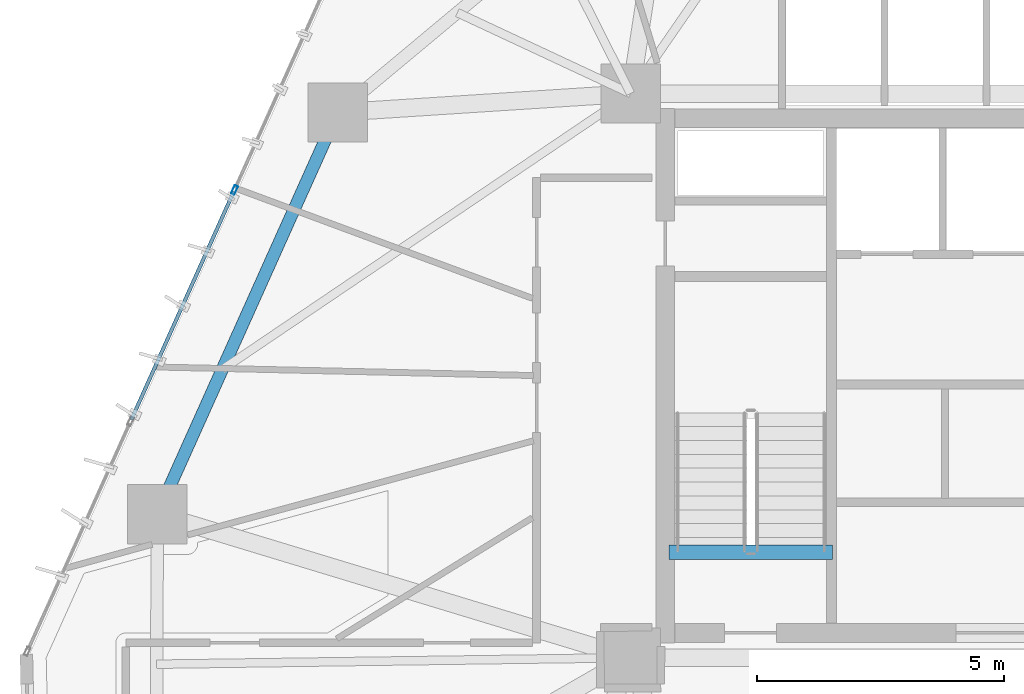
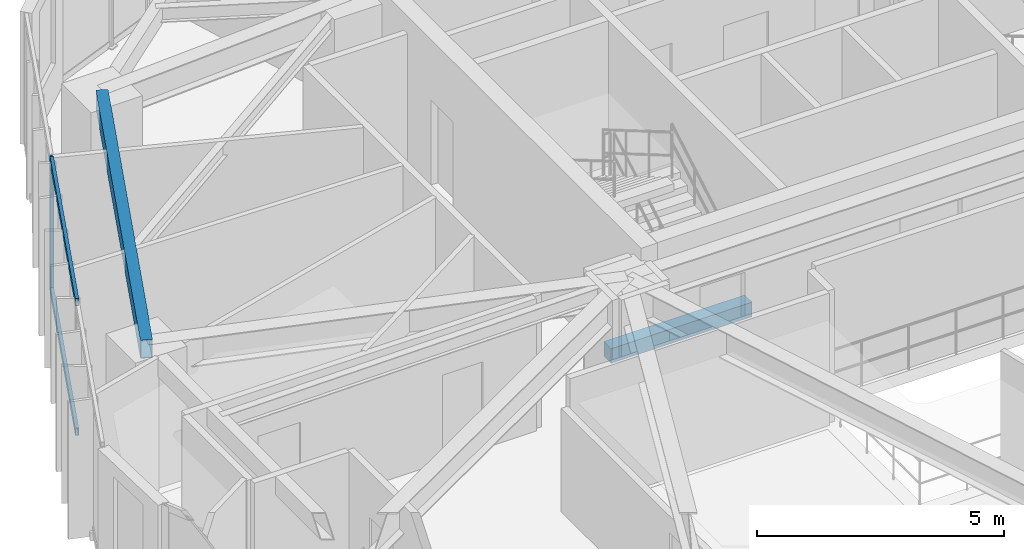
# One storey, part 8 of 22: 3 members, 2 beams, 1 element without a shape of its own.
"""IFC4 building model written with IfcOpenShell, lengths in metres."""

from ifc_helpers import new_model, si_unit, direction, frame, origin, origin_2d, place, context, subcontext, project, spatial, rectangle, hollow_rectangle, extrude, source, transform, mapped, material, layer, layer_set, material_profile, profile_set, type_object, type_shapes, element, aggregate, save


model = new_model("IFC4")

# Units and contexts
model_context = context("Model", 3, precision=1e-05, world=origin(), true_north=direction((0.0, 1.0)))
body_context = subcontext(model_context, "Body", "Model", "MODEL_VIEW")
ifc_project = project(units=[si_unit("LENGTHUNIT", "METRE"), si_unit("AREAUNIT", "SQUARE_METRE"), si_unit("VOLUMEUNIT", "CUBIC_METRE"), si_unit("PLANEANGLEUNIT", "RADIAN"), si_unit("MASSUNIT", "GRAM", prefix="KILO")], contexts=[model_context])

# Site, building, storey
site_placement = place(None, origin())
site = spatial("IfcSite", under=ifc_project, at=site_placement, CompositionType="ELEMENT")
building_placement = place(site_placement, origin())
building = spatial("IfcBuilding", under=site, at=building_placement, Name="Talar Marvaseh", CompositionType="ELEMENT")
storey_placement = place(building_placement, frame((0.0, 0.0, 154.199951171875)))
storey = spatial("IfcBuildingStorey", under=building, at=storey_placement, Name="L40", CompositionType="ELEMENT", Elevation=154.199951171875)

# Beams
ifc_material_1 = material(Name="Concrete C40/50", Category="concrete")
ifc_material_profile_1 = material_profile(ifc_material_1, rectangle(XDim=0.300048828125, YDim=0.360107421875, at=origin_2d()), Name="RC300x360")
ifc_profile_set_1 = profile_set([ifc_material_profile_1], Name="Concrete C40/50")
beam_type_1 = type_object("IfcBeamType", Name="Concrete Stair Landing Trimmer Beam RC300x360", PredefinedType="SPANDREL", material=ifc_profile_set_1)
beam_1_placement = place(storey_placement, frame((22.780029296875, 27.6298828125, -0.179931640625), z_axis=(-1.0, 0.0, 0.0), x_axis=(0.0, -1.0, 0.0)))
element("IfcBeam", 1, at=beam_1_placement, inside=storey, type_object=beam_type_1, Name="L40 ST-1 Stair Nosing Trimmer Beam", PredefinedType="SPANDREL", context=body_context, shape_type="SweptSolid", body=[
    extrude(rectangle(XDim=0.300048828125, YDim=0.360107421875, at=origin_2d()), origin(), (0.0, 0.0, 1.0), 3.300048828125),
])
ifc_material_2 = material(Name="Steel S355", Category="steel")
ifc_material_profile_2 = material_profile(ifc_material_2, hollow_rectangle(XDim=0.25, YDim=0.449951171875, WallThickness=0.01611328125, at=origin_2d()), Name="RHS450x250x16")
ifc_profile_set_2 = profile_set([ifc_material_profile_2], Name="Steel S355")
beam_type_2 = type_object("IfcBeamType", Name="Zone 2 Perimeter Spandrel Beam RHS450x250x16", PredefinedType="SPANDREL", material=ifc_profile_set_2)
beam_2_placement = place(storey_placement, frame((9.137939453125, 28.402099609375, 3.054931640625), z_axis=(0.409461733275, 0.912327292688, 0.0), x_axis=(-0.912327292688, 0.409461733275, 0.0)))
element("IfcBeam", 2, at=beam_2_placement, inside=storey, type_object=beam_type_2, Name="L40 Zone 2 Perimeter Spandrel Beam RHS450x250x16", PredefinedType="SPANDREL", context=body_context, shape_type="SweptSolid", body=[
    extrude(hollow_rectangle(XDim=0.25, YDim=0.449951171875, WallThickness=0.01611328125, at=origin_2d()), origin(), (0.0, 0.0, 1.0), 8.894775390625),
])

# Curtain wall, members
ifc_material_3 = material(Name="Architectural Aluminium", Category="aluminium")
ifc_layer = layer(ifc_material_3, 0.199951171875)
ifc_layer_set = layer_set([ifc_layer], Name="Architectural Aluminium")
curtain_wall_type = type_object("IfcCurtainWallType", Name="Unitised Acoustic Library Curtain Wall Z2", PredefinedType="NOTDEFINED", material=ifc_layer_set)
curtain_wall_placement = place(storey_placement, origin())
curtain_wall = element("IfcCurtainWall", 3, at=curtain_wall_placement, inside=storey, type_object=curtain_wall_type, Name="L40 Unitised Acoustic Library Curtain Wall Z2", PredefinedType="NOTDEFINED")
ifc_material_profile_3 = material_profile(ifc_material_3, hollow_rectangle(XDim=0.074951171875, YDim=0.179931640625, WallThickness=0.0048828125, at=origin_2d()), Name="RHS180x75x5")
ifc_profile_set_3 = profile_set([ifc_material_profile_3], Name="Architectural Aluminium")
member_type_1 = type_object("IfcMemberType", Name="Unitised Curtain Wall Transom RHS180x75x5", PredefinedType="USERDEFINED", material=ifc_profile_set_3)
shared_shape_1 = source(origin(), body_context, "Body", "SweptSolid", [
    extrude(hollow_rectangle(XDim=0.074951171875, YDim=0.179931640625, WallThickness=0.0048828125, at=origin_2d()), origin(), (0.0, 0.0, 1.0), 5.054931640625),
])
type_shapes(member_type_1, [shared_shape_1])
member_1_placement = place(storey_placement, frame((8.6123046875, 30.307861328125, 0.03759765625), z_axis=(0.409617473112, 0.912257379099, 0.0), x_axis=(-0.912257379099, 0.409617473112, 0.0)))
member_1 = element("IfcMember", 4, at=member_1_placement, type_object=member_type_1, Name="CW-Z2 transom 2.1", ObjectType="TRANSOM", PredefinedType="USERDEFINED", context=body_context, shape_type="MappedRepresentation", body=[
    mapped(shared_shape_1, transform((0.0, 0.0, 0.0), x_axis=(1.0, 0.0, 0.0), y_axis=(0.0, 1.0, 0.0), z_axis=(0.0, 0.0, 1.0), scale=1.0)),
])
member_2_placement = place(storey_placement, frame((8.6123046875, 30.307861328125, 3.242431640625), z_axis=(0.409617473112, 0.912257379099, 0.0), x_axis=(-0.912257379099, 0.409617473112, 0.0)))
member_2 = element("IfcMember", 5, at=member_2_placement, type_object=member_type_1, Name="CW-Z2 transom 2.2", ObjectType="TRANSOM", PredefinedType="USERDEFINED", context=body_context, shape_type="MappedRepresentation", body=[
    mapped(shared_shape_1, transform((0.0, 0.0, 0.0), x_axis=(1.0, 0.0, 0.0), y_axis=(0.0, 1.0, 0.0), z_axis=(0.0, 0.0, 1.0), scale=1.0)),
])
ifc_material_profile_4 = material_profile(ifc_material_3, hollow_rectangle(XDim=0.074951171875, YDim=0.179931640625, WallThickness=0.0048828125, at=origin_2d()), Name="RHS180x75x5")
ifc_profile_set_4 = profile_set([ifc_material_profile_4], Name="Architectural Aluminium")
member_type_2 = type_object("IfcMemberType", Name="Unitised Curtain Wall Standard Mullion RHS180x75x5", PredefinedType="MULLION", material=ifc_profile_set_4)
shared_shape_2 = source(origin(), body_context, "Body", "SweptSolid", [
    extrude(hollow_rectangle(XDim=0.074951171875, YDim=0.179931640625, WallThickness=0.0048828125, at=origin_2d()), origin(), (0.0, 0.0, 1.0), 3.280029296875),
])
type_shapes(member_type_2, [shared_shape_2])
member_3_placement = place(storey_placement, frame((10.6982421875, 34.953369140625, 0.0), z_axis=(0.0, 0.0, 1.0), x_axis=(-0.912247532518, 0.409639401688, 0.0)))
member_3 = element("IfcMember", 6, at=member_3_placement, type_object=member_type_2, Name="CW-Z2 mullion 3", PredefinedType="MULLION", context=body_context, shape_type="MappedRepresentation", body=[
    mapped(shared_shape_2, transform((0.0, 0.0, 0.0), x_axis=(1.0, 0.0, 0.0), y_axis=(0.0, 1.0, 0.0), z_axis=(0.0, 0.0, 1.0), scale=1.0)),
])
aggregate(curtain_wall, [member_3, member_1, member_2])

save(model, "model.ifc")
